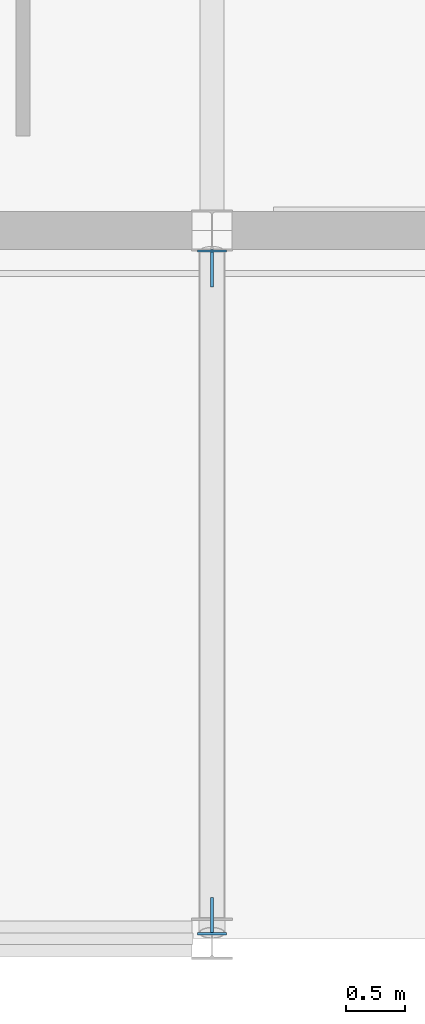
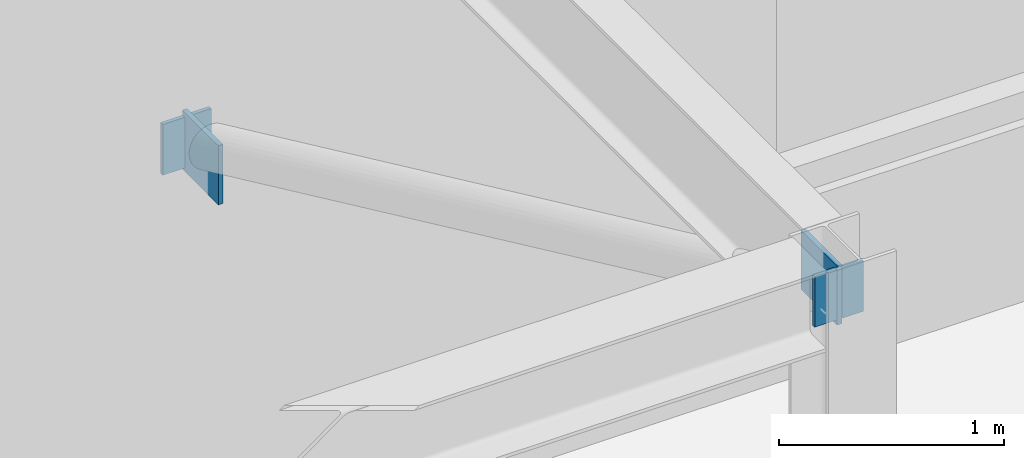
# One storey, part 76 of 119: 4 plates.
"""IFC4 building model written with IfcOpenShell, lengths in metres."""

from ifc_helpers import new_model, si_unit, direction, frame, origin, origin_2d, place, context, subcontext, project, spatial, rectangle, extrude, material, layer, layer_set, type_object, element, save


model = new_model("IFC4")

# Units and contexts
model_context = context("Model", 3, precision=1e-05, world=origin(), true_north=direction((0.0, 1.0)))
body_context = subcontext(model_context, "Body", "Model", "MODEL_VIEW")
ifc_project = project(units=[si_unit("LENGTHUNIT", "METRE"), si_unit("AREAUNIT", "SQUARE_METRE"), si_unit("VOLUMEUNIT", "CUBIC_METRE"), si_unit("PLANEANGLEUNIT", "RADIAN"), si_unit("MASSUNIT", "GRAM", prefix="KILO")], contexts=[model_context])

# Site, building, storey
site_placement = place(None, origin())
site = spatial("IfcSite", under=ifc_project, at=site_placement, CompositionType="ELEMENT")
building_placement = place(site_placement, origin())
building = spatial("IfcBuilding", under=site, at=building_placement, Name="Zhaolan Boulevard Law Courts", CompositionType="ELEMENT")
storey_placement = place(building_placement, origin())
storey = spatial("IfcBuildingStorey", under=building, at=storey_placement, Name="L00", CompositionType="ELEMENT", Elevation=0.0)

# Plates
ifc_material_1 = material(Name="Structural steel Q355B", Category="steel")
ifc_layer_1 = layer(ifc_material_1, 0.02392578125)
ifc_layer_set_1 = layer_set([ifc_layer_1])
plate_type_1 = type_object("IfcPlateType", Name="BRACE GUSSET PLATE 24", PredefinedType="SHEET", material=ifc_layer_set_1)
for number, where, z_axis, x_axis, name in (
    (1, (100.0, 5.679931640625, 2.0400390625), (0.0, 0.0, 1.0), (1.0, 0.0, 0.0), "Canopy Brace End Gusset GP-CT13-1"),
    (2, (100.0, 0.18994140625, 4.7177734375), (0.0, 0.0, 1.0), (1.0, 0.0, 0.0), "Canopy Brace End Gusset GP-CT13-2"),
):
    element("IfcPlate", number, at=place(storey_placement, frame(where, z_axis=z_axis, x_axis=x_axis)), inside=storey, type_object=plate_type_1, Name=name, PredefinedType="SHEET", context=body_context, shape_type="SweptSolid", body=[
        extrude(rectangle(XDim=0.02392578125, YDim=0.320068359375, at=origin_2d()), origin(), (0.0, 0.0, 1.0), 0.320068359375),
    ])
ifc_material_2 = material(Name="Structural steel Q355B", Category="steel")
ifc_layer_2 = layer(ifc_material_2, 0.02001953125)
ifc_layer_set_2 = layer_set([ifc_layer_2])
plate_type_2 = type_object("IfcPlateType", Name="END CAP PLATE 20", PredefinedType="SHEET", material=ifc_layer_set_2)
for number, where, z_axis, x_axis, name in (
    (3, (100.0, 5.827392578125, 2.05908203125), (0.0, 0.0, 1.0), (0.0, -1.0, 0.0), "Hollow Section End-Cap Plate ECP-1045"),
    (4, (100.0, 0.042724609375, 4.743896484375), (0.0, 0.0, 1.0), (0.0, -1.0, 0.0), "Hollow Section End-Cap Plate ECP-1046"),
):
    element("IfcPlate", number, at=place(storey_placement, frame(where, z_axis=z_axis, x_axis=x_axis)), inside=storey, type_object=plate_type_2, Name=name, PredefinedType="SHEET", context=body_context, shape_type="SweptSolid", body=[
        extrude(rectangle(XDim=0.02001953125, YDim=0.2490234375, at=origin_2d()), origin(), (0.0, 0.0, 1.0), 0.27490234375),
    ])

save(model, "model.ifc")
